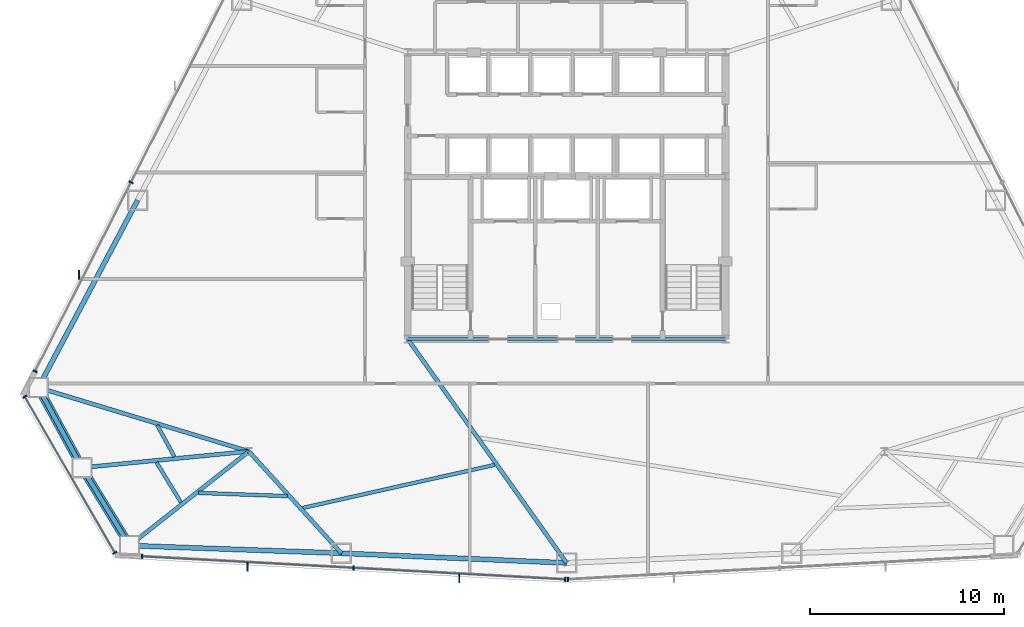
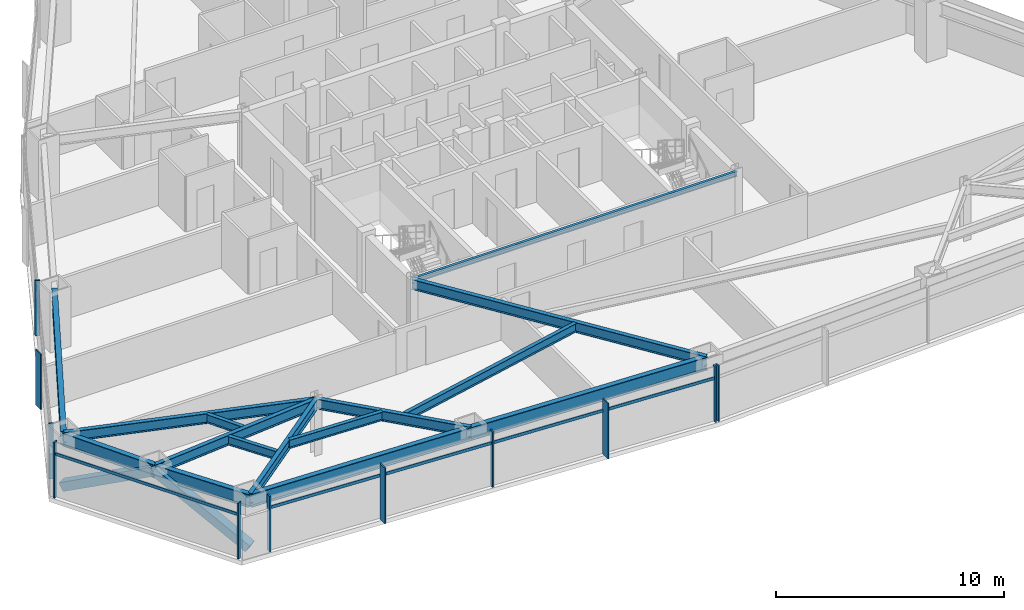
# One storey, part 4 of 12: 15 beams, 15 members, 4 elements without a shape of their own.
"""IFC4 building model written with IfcOpenShell, lengths in metres."""

from ifc_helpers import new_model, si_unit, direction, frame, origin, origin_2d, place, context, subcontext, project, spatial, rectangle, hollow_rectangle, i_section, extrude, source, transform, mapped, material, layer, layer_set, material_profile, profile_set, type_object, type_shapes, element, aggregate, save


model = new_model("IFC4")

# Units and contexts
model_context = context("Model", 3, precision=1e-05, world=origin(), true_north=direction((0.0, 1.0)))
body_context = subcontext(model_context, "Body", "Model", "MODEL_VIEW")
ifc_project = project(units=[si_unit("LENGTHUNIT", "METRE"), si_unit("AREAUNIT", "SQUARE_METRE"), si_unit("VOLUMEUNIT", "CUBIC_METRE"), si_unit("PLANEANGLEUNIT", "RADIAN"), si_unit("MASSUNIT", "GRAM", prefix="KILO")], contexts=[model_context])

# Site, building, storey
site_placement = place(None, origin())
site = spatial("IfcSite", under=ifc_project, at=site_placement, CompositionType="ELEMENT")
building_placement = place(site_placement, origin())
building = spatial("IfcBuilding", under=site, at=building_placement, Name="Varakhsha Concourse Tower", CompositionType="ELEMENT")
storey_placement = place(building_placement, frame((0.0, 0.0, 73.39990234375)))
storey = spatial("IfcBuildingStorey", under=building, at=storey_placement, Name="L20", CompositionType="ELEMENT", Elevation=73.39990234375)

# Beams
ifc_material_1 = material(Name="Structural Steel ASTM A992 Grade 50", Category="steel")
ifc_material_profile_1 = material_profile(ifc_material_1, i_section(OverallWidth=0.19091796875, OverallDepth=0.45703125, WebThickness=0.009033203125, FlangeThickness=0.013916015625, at=origin_2d()), Name="W18X50")
ifc_profile_set_1 = profile_set([ifc_material_profile_1], Name="Structural Steel ASTM A992 Grade 50")
beam_type_1 = type_object("IfcBeamType", Name="BM-JST-W18X50", PredefinedType="JOIST", material=ifc_profile_set_1)
beam_1_placement = place(storey_placement, frame((18.872314453125, 11.953369140625, 2.74169921875), z_axis=(0.47804852113, -0.8783334284, 0.0), x_axis=(0.8783334284, 0.47804852113, 0.0)))
element("IfcBeam", 1, at=beam_1_placement, inside=storey, type_object=beam_type_1, Name="BM-TJST-L20-07", PredefinedType="JOIST", context=body_context, shape_type="SweptSolid", body=[
    extrude(i_section(OverallWidth=0.19091796875, OverallDepth=0.45703125, WebThickness=0.009033203125, FlangeThickness=0.013916015625, at=origin_2d()), origin(), (0.0, 0.0, 1.0), 1.852294921875),
])
beam_2_placement = place(storey_placement, frame((18.834228515625, 10.03515625, 2.74169921875), z_axis=(0.521666519138, -0.853149484446, 0.0), x_axis=(0.853149484446, 0.521666519138, 0.0)))
element("IfcBeam", 2, at=beam_2_placement, inside=storey, type_object=beam_type_1, Name="BM-TJST-L20-08", PredefinedType="JOIST", context=body_context, shape_type="SweptSolid", body=[
    extrude(i_section(OverallWidth=0.19091796875, OverallDepth=0.45703125, WebThickness=0.009033203125, FlangeThickness=0.013916015625, at=origin_2d()), origin(), (0.0, 0.0, 1.0), 2.417236328125),
])
beam_3_placement = place(storey_placement, frame((21.001220703125, 8.4580078125, 2.74169921875), z_axis=(0.999343002196, -0.036243122972, 0.0), x_axis=(0.036243122972, 0.999343002196, 0.0)))
element("IfcBeam", 3, at=beam_3_placement, inside=storey, type_object=beam_type_1, Name="BM-TJST-L20-09", PredefinedType="JOIST", context=body_context, shape_type="SweptSolid", body=[
    extrude(i_section(OverallWidth=0.19091796875, OverallDepth=0.45703125, WebThickness=0.009033203125, FlangeThickness=0.013916015625, at=origin_2d()), origin(), (0.0, 0.0, 1.0), 4.593994140625),
])
beam_4_placement = place(storey_placement, frame((26.383056640625, 7.68115234375, 2.74169921875), z_axis=(0.97570922124, 0.219069659211, 0.0), x_axis=(-0.219069659211, 0.97570922124, 0.0)))
element("IfcBeam", 4, at=beam_4_placement, inside=storey, type_object=beam_type_1, Name="BM-TJST-L20-10", PredefinedType="JOIST", context=body_context, shape_type="SweptSolid", body=[
    extrude(i_section(OverallWidth=0.19091796875, OverallDepth=0.45703125, WebThickness=0.009033203125, FlangeThickness=0.013916015625, at=origin_2d()), origin(), (0.0, 0.0, 1.0), 10.148193359375),
])
ifc_material_profile_2 = material_profile(ifc_material_1, i_section(OverallWidth=0.14697265625, OverallDepth=0.261962890625, WebThickness=0.007080078125, FlangeThickness=0.010986328125, at=origin_2d()), Name="W10X26")
ifc_profile_set_2 = profile_set([ifc_material_profile_2], Name="Structural Steel ASTM A992 Grade 50")
beam_type_2 = type_object("IfcBeamType", Name="BM-LNTL-W10X26", PredefinedType="LINTEL", material=ifc_profile_set_2)
beam_5_placement = place(storey_placement, frame((31.800048828125, 16.39990234375, 2.839111328125), z_axis=(1.0, 0.0, 0.0), x_axis=(0.0, 1.0, 0.0)))
element("IfcBeam", 5, at=beam_5_placement, inside=storey, type_object=beam_type_2, Name="BM-TCORE-L20-CS", PredefinedType="LINTEL", context=body_context, shape_type="SweptSolid", body=[
    extrude(i_section(OverallWidth=0.14697265625, OverallDepth=0.261962890625, WebThickness=0.007080078125, FlangeThickness=0.010986328125, at=origin_2d()), origin(), (0.0, 0.0, 1.0), 16.39990234375),
])
ifc_material_profile_3 = material_profile(ifc_material_1, i_section(OverallWidth=0.2109375, OverallDepth=0.5390625, WebThickness=0.011962890625, FlangeThickness=0.01904296875, at=origin_2d()), Name="W21X73")
ifc_profile_set_3 = profile_set([ifc_material_profile_3], Name="Structural Steel ASTM A992 Grade 50")
beam_type_3 = type_object("IfcBeamType", Name="BM-RAD-W21X73", PredefinedType="BEAM", material=ifc_profile_set_3)
beam_6_placement = place(storey_placement, frame((23.60009765625, 10.60009765625, 2.70068359375), z_axis=(-0.9569458756, 0.290266414131, 0.0), x_axis=(-0.290266414131, -0.9569458756, 0.0)))
element("IfcBeam", 6, at=beam_6_placement, inside=storey, type_object=beam_type_3, Name="L20 Radial Floor Girder 07", PredefinedType="BEAM", context=body_context, shape_type="SweptSolid", body=[
    extrude(i_section(OverallWidth=0.2109375, OverallDepth=0.5390625, WebThickness=0.011962890625, FlangeThickness=0.01904296875, at=origin_2d()), origin(), (0.0, 0.0, 1.0), 11.35302734375),
])
beam_7_placement = place(storey_placement, frame((23.60009765625, 10.60009765625, 2.70068359375), z_axis=(-0.995263322747, -0.097215834071, 0.0), x_axis=(0.097215834071, -0.995263322747, 0.0)))
element("IfcBeam", 7, at=beam_7_placement, inside=storey, type_object=beam_type_3, Name="L20 Radial Floor Girder 08", PredefinedType="BEAM", context=body_context, shape_type="SweptSolid", body=[
    extrude(i_section(OverallWidth=0.2109375, OverallDepth=0.5390625, WebThickness=0.011962890625, FlangeThickness=0.01904296875, at=origin_2d()), origin(), (0.0, 0.0, 1.0), 8.654052734375),
])
beam_8_placement = place(storey_placement, frame((23.60009765625, 10.60009765625, 2.70068359375), z_axis=(-0.78494889691, -0.619560512976, 0.0), x_axis=(0.619560512976, -0.78494889691, 0.0)))
element("IfcBeam", 8, at=beam_8_placement, inside=storey, type_object=beam_type_3, Name="L20 Radial Floor Girder 09", PredefinedType="BEAM", context=body_context, shape_type="SweptSolid", body=[
    extrude(i_section(OverallWidth=0.2109375, OverallDepth=0.5390625, WebThickness=0.011962890625, FlangeThickness=0.01904296875, at=origin_2d()), origin(), (0.0, 0.0, 1.0), 7.8427734375),
])
beam_9_placement = place(storey_placement, frame((23.60009765625, 10.60009765625, 2.70068359375), z_axis=(0.672691612759, -0.739922964993, 0.0), x_axis=(0.739922964993, 0.672691612759, 0.0)))
element("IfcBeam", 9, at=beam_9_placement, inside=storey, type_object=beam_type_3, Name="L20 Radial Floor Girder 10", PredefinedType="BEAM", context=body_context, shape_type="SweptSolid", body=[
    extrude(i_section(OverallWidth=0.2109375, OverallDepth=0.5390625, WebThickness=0.011962890625, FlangeThickness=0.01904296875, at=origin_2d()), origin(), (0.0, 0.0, 1.0), 7.10302734375),
])
beam_10_placement = place(storey_placement, frame((31.800048828125, 16.39990234375, 2.70068359375), z_axis=(0.578691190161, -0.815546753062, 0.0), x_axis=(0.815546753062, 0.578691190161, 0.0)))
element("IfcBeam", 10, at=beam_10_placement, inside=storey, type_object=beam_type_3, Name="L20 Radial Floor Girder 11", PredefinedType="BEAM", context=body_context, shape_type="SweptSolid", body=[
    extrude(i_section(OverallWidth=0.2109375, OverallDepth=0.5390625, WebThickness=0.011962890625, FlangeThickness=0.01904296875, at=origin_2d()), origin(), (0.0, 0.0, 1.0), 14.169921875),
])
ifc_material_profile_4 = material_profile(ifc_material_1, i_section(OverallWidth=0.25390625, OverallDepth=0.701904296875, WebThickness=0.014892578125, FlangeThickness=0.028076171875, at=origin_2d()), Name="W27X129")
ifc_profile_set_4 = profile_set([ifc_material_profile_4], Name="Structural Steel ASTM A992 Grade 50")
beam_type_4 = type_object("IfcBeamType", Name="BM-SPAN-W27X129", PredefinedType="SPANDREL", material=ifc_profile_set_4)
beam_11_placement = place(storey_placement, frame((17.85986328125, 23.562744140625, 2.619140625), z_axis=(-0.46832133516, -0.88355821938, 0.0), x_axis=(0.88355821938, -0.46832133516, 0.0)))
element("IfcBeam", 11, at=beam_11_placement, inside=storey, type_object=beam_type_4, Name="BM-SPAN-L20-06", PredefinedType="SPANDREL", context=body_context, shape_type="SweptSolid", body=[
    extrude(i_section(OverallWidth=0.25390625, OverallDepth=0.701904296875, WebThickness=0.014892578125, FlangeThickness=0.028076171875, at=origin_2d()), origin(), (0.0, 0.0, 1.0), 10.941162109375),
])
beam_12_placement = place(storey_placement, frame((12.73583984375, 13.8955078125, 2.619140625), z_axis=(0.478005647914, -0.878356761551, 0.0), x_axis=(0.878356761551, 0.478005647914, 0.0)))
element("IfcBeam", 12, at=beam_12_placement, inside=storey, type_object=beam_type_4, Name="BM-SPAN-L20-07", PredefinedType="SPANDREL", context=body_context, shape_type="SweptSolid", body=[
    extrude(i_section(OverallWidth=0.25390625, OverallDepth=0.701904296875, WebThickness=0.014892578125, FlangeThickness=0.028076171875, at=origin_2d()), origin(), (0.0, 0.0, 1.0), 4.709716796875),
])
beam_13_placement = place(storey_placement, frame((14.987060546875, 9.7587890625, 2.619140625), z_axis=(0.521674363238, -0.853144688046, 0.0), x_axis=(0.853144688046, 0.521674363238, 0.0)))
element("IfcBeam", 13, at=beam_13_placement, inside=storey, type_object=beam_type_4, Name="BM-SPAN-L20-08", PredefinedType="SPANDREL", context=body_context, shape_type="SweptSolid", body=[
    extrude(i_section(OverallWidth=0.25390625, OverallDepth=0.701904296875, WebThickness=0.014892578125, FlangeThickness=0.028076171875, at=origin_2d()), origin(), (0.0, 0.0, 1.0), 4.70947265625),
])
beam_14_placement = place(storey_placement, frame((17.44384765625, 5.740966796875, 2.619140625), z_axis=(0.999343234849, -0.036236707379, 0.0), x_axis=(0.036236707379, 0.999343234849, 0.0)))
element("IfcBeam", 14, at=beam_14_placement, inside=storey, type_object=beam_type_4, Name="BM-SPAN-L20-09", PredefinedType="SPANDREL", context=body_context, shape_type="SweptSolid", body=[
    extrude(i_section(OverallWidth=0.25390625, OverallDepth=0.701904296875, WebThickness=0.014892578125, FlangeThickness=0.028076171875, at=origin_2d()), origin(), (0.0, 0.0, 1.0), 10.94140625),
])
beam_15_placement = place(storey_placement, frame((28.378173828125, 5.344482421875, 2.619140625), z_axis=(0.999073109275, -0.043045584251, 0.0), x_axis=(0.043045584251, 0.999073109275, 0.0)))
element("IfcBeam", 15, at=beam_15_placement, inside=storey, type_object=beam_type_4, Name="BM-SPAN-L20-10", PredefinedType="SPANDREL", context=body_context, shape_type="SweptSolid", body=[
    extrude(i_section(OverallWidth=0.25390625, OverallDepth=0.701904296875, WebThickness=0.014892578125, FlangeThickness=0.028076171875, at=origin_2d()), origin(), (0.0, 0.0, 1.0), 11.632568359375),
])

# Members
ifc_material_2 = material(Name="Structural Steel ASTM A500 Grade C", Category="steel")
ifc_material_profile_5 = material_profile(ifc_material_2, hollow_rectangle(XDim=0.449951171875, YDim=0.449951171875, WallThickness=0.01904296875, at=origin_2d()), Name="HSS 450x450x19")
ifc_profile_set_5 = profile_set([ifc_material_profile_5], Name="Structural Steel ASTM A500 Grade C")
member_type_1 = type_object("IfcMemberType", Name="MB-TUBE-HSS450", PredefinedType="BRACE", material=ifc_profile_set_5)
shared_shape_1 = source(origin(), body_context, "Body", "SweptSolid", [
    extrude(hollow_rectangle(XDim=0.449951171875, YDim=0.449951171875, WallThickness=0.01904296875, at=origin_2d()), origin(), (0.0, 0.0, 1.0), 5.35546875),
])
member_1_placement = place(storey_placement, frame((17.44384765625, 5.740966796875, 0.1201171875), z_axis=(-0.458740401684, 0.750222676192, 0.476154575732), x_axis=(-0.853144688046, -0.521674363238, 0.0)))
element("IfcMember", 16, at=member_1_placement, inside=storey, type_object=member_type_1, Name="L20 Wind-Corner Tube Brace B04", PredefinedType="BRACE", context=body_context, shape_type="MappedRepresentation", body=[
    mapped(shared_shape_1, transform((0.0, 0.0, 0.0), scale=1.0)),
])
shared_shape_2 = source(origin(), body_context, "Body", "SweptSolid", [
    extrude(hollow_rectangle(XDim=0.449951171875, YDim=0.449951171875, WallThickness=0.01904296875, at=origin_2d()), origin(), (0.0, 0.0, 1.0), 5.355712890625),
])
type_shapes(member_type_1, [shared_shape_1, shared_shape_2])
member_2_placement = place(storey_placement, frame((12.73583984375, 13.8955078125, 0.1201171875), z_axis=(0.420343544228, -0.772400066523, 0.4761401496), x_axis=(0.878356761551, 0.478005647914, 0.0)))
element("IfcMember", 17, at=member_2_placement, inside=storey, type_object=member_type_1, Name="L20 Wind-Corner Tube Brace B03", PredefinedType="BRACE", context=body_context, shape_type="MappedRepresentation", body=[
    mapped(shared_shape_2, transform((0.0, 0.0, 0.0), scale=1.0)),
])

# Curtain wall, members
ifc_material_3 = material(Name="Anodised Bronze Architectural Aluminium AA 6063-T6", Category="aluminium")
ifc_layer = layer(ifc_material_3, 0.199951171875, Name="CW-SYS-03")
ifc_layer_set = layer_set([ifc_layer], Name="Anodised Bronze Architectural Aluminium AA 6063-T6")
curtain_wall_type = type_object("IfcCurtainWallType", Name="CW-SYS-03", PredefinedType="NOTDEFINED", material=ifc_layer_set)
curtain_wall_1_placement = place(storey_placement, origin())
curtain_wall_1 = element("IfcCurtainWall", 18, at=curtain_wall_1_placement, inside=storey, type_object=curtain_wall_type, Name="L20 Crystal Curtain Wall F3", PredefinedType="NOTDEFINED")
ifc_material_profile_6 = material_profile(ifc_material_3, rectangle(XDim=0.074951171875, YDim=0.219970703125, at=origin_2d()), Name="CWM-220X75")
ifc_profile_set_6 = profile_set([ifc_material_profile_6], Name="Anodised Bronze Architectural Aluminium AA 6063-T6")
member_type_2 = type_object("IfcMemberType", Name="CWM-220X75", PredefinedType="MULLION", material=ifc_profile_set_6)
shared_shape_3 = source(origin(), body_context, "Body", "SweptSolid", [
    extrude(rectangle(XDim=0.074951171875, YDim=0.219970703125, at=origin_2d()), origin(), (0.0, 0.0, 1.0), 2.97021484375),
])
type_shapes(member_type_2, [shared_shape_3])
member_3_placement = place(storey_placement, frame((12.57421875, 14.731689453125, 0.0), z_axis=(0.0, 0.0, 1.0), x_axis=(0.45227438453, 0.891878848891, 0.0)))
member_3 = element("IfcMember", 19, at=member_3_placement, type_object=member_type_2, Name="CW-L20-F3 Mullion 00", PredefinedType="MULLION", context=body_context, shape_type="MappedRepresentation", body=[
    mapped(shared_shape_3, transform((0.0, 0.0, 0.0), scale=1.0)),
])
member_4_placement = place(storey_placement, frame((17.5205078125, 24.486083984375, 0.0), z_axis=(0.0, 0.0, 1.0), x_axis=(0.45227438453, 0.891878848891, 0.0)))
member_4 = element("IfcMember", 20, at=member_4_placement, type_object=member_type_2, Name="CW-L20-F3 Mullion 01", PredefinedType="MULLION", context=body_context, shape_type="MappedRepresentation", body=[
    mapped(shared_shape_3, transform((0.0, 0.0, 0.0), scale=1.0)),
])

curtain_wall_2_placement = place(storey_placement, origin())
curtain_wall_2 = element("IfcCurtainWall", 21, at=curtain_wall_2_placement, inside=storey, type_object=curtain_wall_type, Name="L20 Chamfer Curtain Wall F4", PredefinedType="NOTDEFINED")
member_5_placement = place(storey_placement, frame((16.689208984375, 5.37060546875, 0.0), z_axis=(0.0, 0.0, 1.0), x_axis=(-0.49999395399, 0.866028894422, 0.0)))
member_5 = element("IfcMember", 22, at=member_5_placement, type_object=member_type_2, Name="CW-L20-F4 Mullion 00", PredefinedType="MULLION", context=body_context, shape_type="MappedRepresentation", body=[
    mapped(shared_shape_3, transform((0.0, 0.0, 0.0), scale=1.0)),
])
member_6_placement = place(storey_placement, frame((12.037841796875, 13.427001953125, 0.0), z_axis=(0.0, 0.0, 1.0), x_axis=(-0.49999395399, 0.866028894422, 0.0)))
member_6 = element("IfcMember", 23, at=member_6_placement, type_object=member_type_2, Name="CW-L20-F4 Mullion 01", PredefinedType="MULLION", context=body_context, shape_type="MappedRepresentation", body=[
    mapped(shared_shape_3, transform((0.0, 0.0, 0.0), scale=1.0)),
])

curtain_wall_3_placement = place(storey_placement, origin())
curtain_wall_3 = element("IfcCurtainWall", 24, at=curtain_wall_3_placement, inside=storey, type_object=curtain_wall_type, Name="L20 Crystal Curtain Wall F5", PredefinedType="NOTDEFINED")
member_7_placement = place(storey_placement, frame((39.9287109375, 3.995849609375, 0.0), z_axis=(0.0, 0.0, 1.0), x_axis=(-0.998527027199, 0.054256575203, 0.0)))
member_7 = element("IfcMember", 25, at=member_7_placement, type_object=member_type_2, Name="CW-L20-F5 Mullion 00", PredefinedType="MULLION", context=body_context, shape_type="MappedRepresentation", body=[
    mapped(shared_shape_3, transform((0.0, 0.0, 0.0), scale=1.0)),
])
member_8_placement = place(storey_placement, frame((29.008056640625, 4.58935546875, 0.0), z_axis=(0.0, 0.0, 1.0), x_axis=(-0.998527027199, 0.054256575203, 0.0)))
member_8 = element("IfcMember", 26, at=member_8_placement, type_object=member_type_2, Name="CW-L20-F5 Mullion 01", PredefinedType="MULLION", context=body_context, shape_type="MappedRepresentation", body=[
    mapped(shared_shape_3, transform((0.0, 0.0, 0.0), scale=1.0)),
])
member_9_placement = place(storey_placement, frame((18.08740234375, 5.1826171875, 0.0), z_axis=(0.0, 0.0, 1.0), x_axis=(-0.998527027199, 0.054256575203, 0.0)))
member_9 = element("IfcMember", 27, at=member_9_placement, type_object=member_type_2, Name="CW-L20-F5 Mullion 02", PredefinedType="MULLION", context=body_context, shape_type="MappedRepresentation", body=[
    mapped(shared_shape_3, transform((0.0, 0.0, 0.0), scale=1.0)),
])

# Curtain wall, member
curtain_wall_4_placement = place(storey_placement, origin())
curtain_wall_4 = element("IfcCurtainWall", 28, at=curtain_wall_4_placement, inside=storey, type_object=curtain_wall_type, Name="L20 Crystal Curtain Wall F6", PredefinedType="NOTDEFINED")
member_10_placement = place(storey_placement, frame((40.0712890625, 3.995849609375, 0.0), z_axis=(0.0, 0.0, 1.0), x_axis=(-0.998527027199, -0.054256575203, 0.0)))
member_10 = element("IfcMember", 29, at=member_10_placement, type_object=member_type_2, Name="CW-L20-F6 Mullion 02", PredefinedType="MULLION", context=body_context, shape_type="MappedRepresentation", body=[
    mapped(shared_shape_3, transform((0.0, 0.0, 0.0), scale=1.0)),
])
aggregate(curtain_wall_4, [member_10])

# Member
ifc_material_profile_7 = material_profile(ifc_material_3, rectangle(XDim=0.06494140625, YDim=0.159912109375, at=origin_2d()), Name="CWT-160X65")
ifc_profile_set_7 = profile_set([ifc_material_profile_7], Name="Anodised Bronze Architectural Aluminium AA 6063-T6")
member_type_3 = type_object("IfcMemberType", Name="CWT-160X65", PredefinedType="USERDEFINED", material=ifc_profile_set_7)
shared_shape_4 = source(origin(), body_context, "Body", "SweptSolid", [
    extrude(rectangle(XDim=0.06494140625, YDim=0.159912109375, at=origin_2d()), origin(), (0.0, 0.0, 1.0), 21.87353515625),
])
member_11_placement = place(storey_placement, frame((39.9287109375, 3.995849609375, 2.320068359375), z_axis=(-0.998527064655, 0.054255885865, 0.0), x_axis=(-0.054255885865, -0.998527064655, 0.0)))
member_11 = element("IfcMember", 30, at=member_11_placement, type_object=member_type_3, Name="CW-L20-F5 Transom 01", ObjectType="TRANSOM", PredefinedType="USERDEFINED", context=body_context, shape_type="MappedRepresentation", body=[
    mapped(shared_shape_4, transform((0.0, 0.0, 0.0), scale=1.0)),
])

ifc_material_profile_8 = material_profile(ifc_material_3, rectangle(XDim=0.06494140625, YDim=0.449951171875, at=origin_2d()), Name="FIN-BRZ-450")
ifc_profile_set_8 = profile_set([ifc_material_profile_8], Name="Anodised Bronze Architectural Aluminium AA 6063-T6")
member_type_4 = type_object("IfcMemberType", Name="FIN-BRZ-450", PredefinedType="USERDEFINED", material=ifc_profile_set_8)
shared_shape_5 = source(origin(), body_context, "Body", "SweptSolid", [
    extrude(rectangle(XDim=0.06494140625, YDim=0.449951171875, at=origin_2d()), origin(), (0.0, 0.0, 1.0), 2.97021484375),
])
type_shapes(member_type_4, [shared_shape_5])
member_12_placement = place(storey_placement, frame((14.83349609375, 19.71728515625, 0.0), z_axis=(0.0, 0.0, 1.0), x_axis=(1.0, 0.0, 0.0)))
member_12 = element("IfcMember", 31, at=member_12_placement, type_object=member_type_4, Name="L20 Anodised Bronze Solar Fin F3-1", ObjectType="SOLAR FIN", PredefinedType="USERDEFINED", context=body_context, shape_type="MappedRepresentation", body=[
    mapped(shared_shape_5, transform((0.0, 0.0, 0.0), scale=1.0)),
])

aggregate(curtain_wall_1, [member_3, member_4, member_12])

member_13_placement = place(storey_placement, frame((34.455322265625, 4.052978515625, 0.0), z_axis=(0.0, 0.0, 1.0), x_axis=(1.0, 0.0, 0.0)))
member_13 = element("IfcMember", 32, at=member_13_placement, type_object=member_type_4, Name="L20 Anodised Bronze Solar Fin F5-1", ObjectType="SOLAR FIN", PredefinedType="USERDEFINED", context=body_context, shape_type="MappedRepresentation", body=[
    mapped(shared_shape_5, transform((0.0, 0.0, 0.0), scale=1.0)),
])

member_14_placement = place(storey_placement, frame((23.53466796875, 4.646484375, 0.0), z_axis=(0.0, 0.0, 1.0), x_axis=(1.0, 0.0, 0.0)))
member_14 = element("IfcMember", 33, at=member_14_placement, type_object=member_type_4, Name="L20 Anodised Bronze Solar Fin F5-2", ObjectType="SOLAR FIN", PredefinedType="USERDEFINED", context=body_context, shape_type="MappedRepresentation", body=[
    mapped(shared_shape_5, transform((0.0, 0.0, 0.0), scale=1.0)),
])

aggregate(curtain_wall_3, [member_7, member_8, member_9, member_11, member_13, member_14])

shared_shape_6 = source(origin(), body_context, "Body", "SweptSolid", [
    extrude(rectangle(XDim=0.06494140625, YDim=0.159912109375, at=origin_2d()), origin(), (0.0, 0.0, 1.0), 9.302734375),
])
type_shapes(member_type_3, [shared_shape_4, shared_shape_6])
member_15_placement = place(storey_placement, frame((16.689208984375, 5.37060546875, 2.320068359375), z_axis=(-0.500000363486, 0.866025193926, 0.0), x_axis=(-0.866025193926, -0.500000363486, 0.0)))
member_15 = element("IfcMember", 34, at=member_15_placement, type_object=member_type_3, Name="CW-L20-F4 Transom 01", ObjectType="TRANSOM", PredefinedType="USERDEFINED", context=body_context, shape_type="MappedRepresentation", body=[
    mapped(shared_shape_6, transform((0.0, 0.0, 0.0), scale=1.0)),
])

aggregate(curtain_wall_2, [member_5, member_6, member_15])

save(model, "model.ifc")
